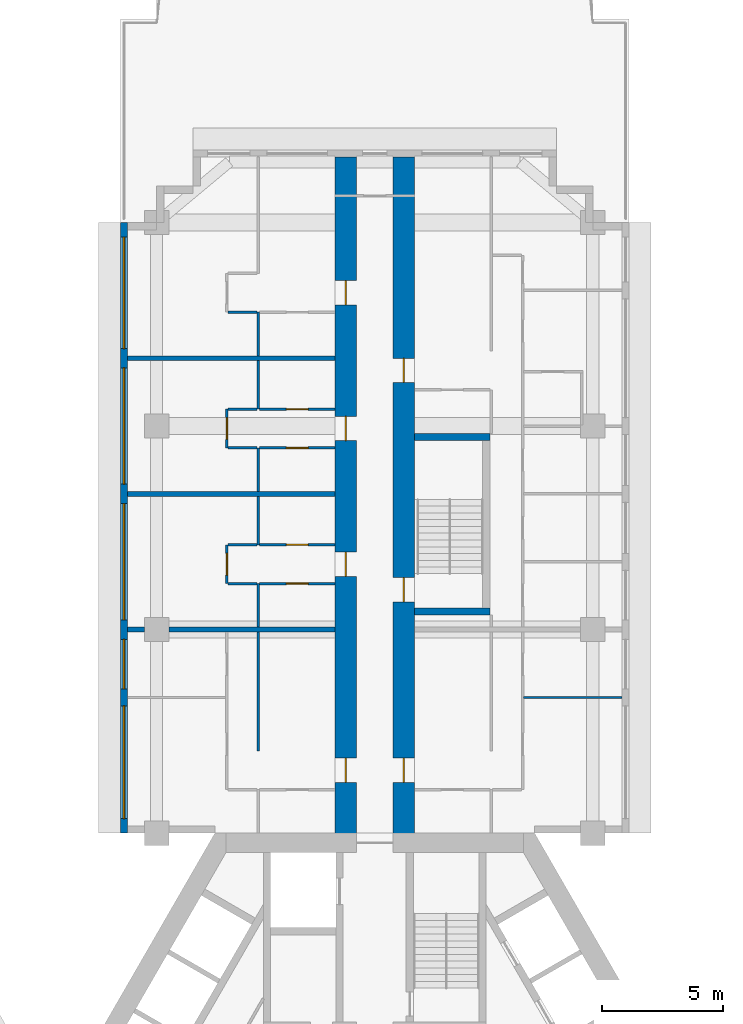
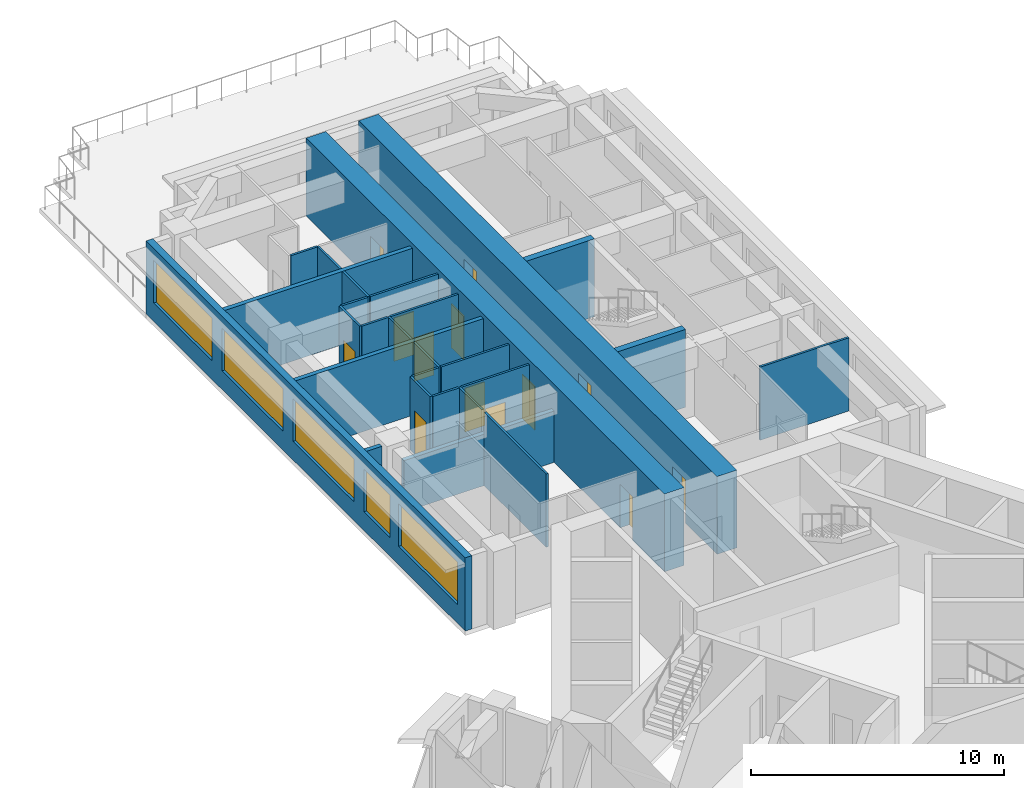
# One storey, part 9 of 16: 27 walls, 13 doors, 5 windows, 18 openings.
"""IFC4 building model written with IfcOpenShell, lengths in metres."""

from ifc_helpers import new_model, si_unit, direction, frame, frame_2d, origin, place, context, subcontext, project, spatial, rectangle, extrude, material, layer, layer_set, type_object, element, fill, save


model = new_model("IFC4")

# Units and contexts
model_context = context("Model", 3, precision=1e-05, world=origin(), true_north=direction((0.0, 1.0)))
body_context = subcontext(model_context, "Body", "Model", "MODEL_VIEW")
ifc_project = project(units=[si_unit("LENGTHUNIT", "METRE"), si_unit("AREAUNIT", "SQUARE_METRE"), si_unit("VOLUMEUNIT", "CUBIC_METRE"), si_unit("PLANEANGLEUNIT", "RADIAN"), si_unit("MASSUNIT", "GRAM", prefix="KILO")], contexts=[model_context])

# Site, building, storey
site_placement = place(None, origin())
site = spatial("IfcSite", under=ifc_project, at=site_placement, CompositionType="ELEMENT")
building_placement = place(site_placement, origin())
building = spatial("IfcBuilding", under=site, at=building_placement, Name="Impinga Residences", CompositionType="ELEMENT")
storey_placement = place(building_placement, frame((0.0, 0.0, 106.0)))
storey = spatial("IfcBuildingStorey", under=building, at=storey_placement, Name="L25", CompositionType="ELEMENT", Elevation=106.0)

# Wall, openings, doors
ifc_material_1 = material(Name="Concrete C60/75", Category="concrete")
ifc_layer_1 = layer(ifc_material_1, 0.89990234375)
ifc_layer_set_1 = layer_set([ifc_layer_1], Name="Concrete C60/75")
wall_type_1 = type_object("IfcWallType", Name="BW2 corridor buttress wall, L24 to L44 900", PredefinedType="SHEAR", material=ifc_layer_set_1)
wall_1_placement = place(storey_placement, frame((-1.199951171875, 11.031494140625, 0.0), z_axis=(0.0, 0.0, 1.0), x_axis=(0.0, 1.0, 0.0)))
wall_1 = element("IfcWall", 1, at=wall_1_placement, inside=storey, type_object=wall_type_1, Name="Corridor wall BW2 NC L25", PredefinedType="SHEAR", context=body_context, shape_type="SweptSolid", body=[
    extrude(rectangle(XDim=28.300048828125, YDim=0.89990234375, at=frame_2d((14.14990234375, 0.0))), origin(), (0.0, 0.0, 1.0), 3.75),
])
opening_1_placement = place(wall_1_placement, frame((2.5, 0.0, 0.0)))
opening_1 = element("IfcOpeningElement", 2, at=opening_1_placement, cuts=wall_1, Name="Opening D1", PredefinedType="OPENING", context=body_context, shape_type="SweptSolid", body=[
    extrude(rectangle(XDim=1.0, YDim=2.10009765625, at=frame_2d((0.5, 1.050048828125))), frame((0.0, 0.4599609375, 0.0), z_axis=(0.0, -1.0, 0.0), x_axis=(1.0, 0.0, 0.0)), (0.0, 0.0, 1.0), 0.919921875),
])
opening_2_placement = place(wall_1_placement, frame((11.0, 0.0, 0.0)))
opening_2 = element("IfcOpeningElement", 3, at=opening_2_placement, cuts=wall_1, Name="Opening D1", PredefinedType="OPENING", context=body_context, shape_type="SweptSolid", body=[
    extrude(rectangle(XDim=1.0, YDim=2.10009765625, at=frame_2d((0.5, 1.050048828125))), frame((0.0, 0.4599609375, 0.0), z_axis=(0.0, -1.0, 0.0), x_axis=(1.0, 0.0, 0.0)), (0.0, 0.0, 1.0), 0.919921875),
])
opening_3_placement = place(wall_1_placement, frame((16.60009765625, 0.0, 0.0)))
opening_3 = element("IfcOpeningElement", 4, at=opening_3_placement, cuts=wall_1, Name="Opening D1", PredefinedType="OPENING", context=body_context, shape_type="SweptSolid", body=[
    extrude(rectangle(XDim=1.0, YDim=2.10009765625, at=frame_2d((0.5, 1.050048828125))), frame((0.0, 0.4599609375, 0.0), z_axis=(0.0, -1.0, 0.0), x_axis=(1.0, 0.0, 0.0)), (0.0, 0.0, 1.0), 0.919921875),
])
opening_4_placement = place(wall_1_placement, frame((22.199951171875, 0.0, 0.0)))
opening_4 = element("IfcOpeningElement", 5, at=opening_4_placement, cuts=wall_1, Name="Opening D1", PredefinedType="OPENING", context=body_context, shape_type="SweptSolid", body=[
    extrude(rectangle(XDim=1.0, YDim=2.10009765625, at=frame_2d((0.5, 1.050048828125))), frame((0.0, 0.4599609375, 0.0), z_axis=(0.0, -1.0, 0.0), x_axis=(1.0, 0.0, 0.0)), (0.0, 0.0, 1.0), 0.919921875),
])
ifc_material_2 = material(Name="Timber door set", Category="wood")
door_type_1 = type_object("IfcDoorType", Name="D1 apartment entrance door 1000x2100", OperationType="SINGLE_SWING_LEFT", PredefinedType="DOOR", material=ifc_material_2)
door_1_placement = place(opening_1_placement, origin())
door_1 = element("IfcDoor", 6, at=door_1_placement, inside=storey, type_object=door_type_1, Name="Apartment L25-NA1 entrance", OperationType="SINGLE_SWING_LEFT", OverallHeight=2.10009765625, OverallWidth=1.0, PredefinedType="DOOR", context=body_context, shape_type="SweptSolid", body=[
    extrude(rectangle(XDim=1.0, YDim=2.10009765625, at=frame_2d((0.5, 1.050048828125))), frame((0.0, 0.02490234375, 0.0), z_axis=(0.0, -1.0, 0.0), x_axis=(1.0, 0.0, 0.0)), (0.0, 0.0, 1.0), 0.050048828125),
])
fill(opening_1, door_1)
door_2_placement = place(opening_2_placement, origin())
door_2 = element("IfcDoor", 7, at=door_2_placement, inside=storey, type_object=door_type_1, Name="Apartment L25-NA2 entrance", OperationType="SINGLE_SWING_LEFT", OverallHeight=2.10009765625, OverallWidth=1.0, PredefinedType="DOOR", context=body_context, shape_type="SweptSolid", body=[
    extrude(rectangle(XDim=1.0, YDim=2.10009765625, at=frame_2d((0.5, 1.050048828125))), frame((0.0, 0.02490234375, 0.0), z_axis=(0.0, -1.0, 0.0), x_axis=(1.0, 0.0, 0.0)), (0.0, 0.0, 1.0), 0.050048828125),
])
fill(opening_2, door_2)
door_3_placement = place(opening_3_placement, origin())
door_3 = element("IfcDoor", 8, at=door_3_placement, inside=storey, type_object=door_type_1, Name="Apartment L25-NA3 entrance", OperationType="SINGLE_SWING_RIGHT", OverallHeight=2.10009765625, OverallWidth=1.0, PredefinedType="DOOR", context=body_context, shape_type="SweptSolid", body=[
    extrude(rectangle(XDim=1.0, YDim=2.10009765625, at=frame_2d((0.5, 1.050048828125))), frame((0.0, 0.02490234375, 0.0), z_axis=(0.0, -1.0, 0.0), x_axis=(1.0, 0.0, 0.0)), (0.0, 0.0, 1.0), 0.050048828125),
])
fill(opening_3, door_3)
door_4_placement = place(opening_4_placement, origin())
door_4 = element("IfcDoor", 9, at=door_4_placement, inside=storey, type_object=door_type_1, Name="Apartment L25-NA4 entrance", OperationType="SINGLE_SWING_RIGHT", OverallHeight=2.10009765625, OverallWidth=1.0, PredefinedType="DOOR", context=body_context, shape_type="SweptSolid", body=[
    extrude(rectangle(XDim=1.0, YDim=2.10009765625, at=frame_2d((0.5, 1.050048828125))), frame((0.0, 0.02490234375, 0.0), z_axis=(0.0, -1.0, 0.0), x_axis=(1.0, 0.0, 0.0)), (0.0, 0.0, 1.0), 0.050048828125),
])
fill(opening_4, door_4)

wall_2_placement = place(storey_placement, frame((1.199951171875, 11.031494140625, 0.0), z_axis=(0.0, 0.0, 1.0), x_axis=(0.0, 1.0, 0.0)))
wall_2 = element("IfcWall", 10, at=wall_2_placement, inside=storey, type_object=wall_type_1, Name="Corridor wall BW2 ND L25", PredefinedType="SHEAR", context=body_context, shape_type="SweptSolid", body=[
    extrude(rectangle(XDim=28.300048828125, YDim=0.89990234375, at=frame_2d((14.14990234375, 0.0))), origin(), (0.0, 0.0, 1.0), 3.75),
])
opening_5_placement = place(wall_2_placement, frame((9.949951171875, 0.0, 0.0)))
opening_5 = element("IfcOpeningElement", 11, at=opening_5_placement, cuts=wall_2, Name="Opening D5", PredefinedType="OPENING", context=body_context, shape_type="SweptSolid", body=[
    extrude(rectangle(XDim=1.0, YDim=2.10009765625, at=frame_2d((0.5, 1.050048828125))), frame((0.0, 0.4599609375, 0.0), z_axis=(0.0, -1.0, 0.0), x_axis=(1.0, 0.0, 0.0)), (0.0, 0.0, 1.0), 0.919921875),
])
opening_6_placement = place(wall_2_placement, frame((2.5, 0.0, 0.0)))
opening_6 = element("IfcOpeningElement", 12, at=opening_6_placement, cuts=wall_2, Name="Opening D1", PredefinedType="OPENING", context=body_context, shape_type="SweptSolid", body=[
    extrude(rectangle(XDim=1.0, YDim=2.10009765625, at=frame_2d((0.5, 1.050048828125))), frame((0.0, 0.4599609375, 0.0), z_axis=(0.0, -1.0, 0.0), x_axis=(1.0, 0.0, 0.0)), (0.0, 0.0, 1.0), 0.919921875),
])
opening_7_placement = place(wall_2_placement, frame((19.0, 0.0, 0.0)))
opening_7 = element("IfcOpeningElement", 13, at=opening_7_placement, cuts=wall_2, Name="Opening D1", PredefinedType="OPENING", context=body_context, shape_type="SweptSolid", body=[
    extrude(rectangle(XDim=1.0, YDim=2.10009765625, at=frame_2d((0.5, 1.050048828125))), frame((0.0, 0.4599609375, 0.0), z_axis=(0.0, -1.0, 0.0), x_axis=(1.0, 0.0, 0.0)), (0.0, 0.0, 1.0), 0.919921875),
])
door_5_placement = place(opening_6_placement, origin())
door_5 = element("IfcDoor", 14, at=door_5_placement, inside=storey, type_object=door_type_1, Name="Apartment L25-NF1 entrance", OperationType="SINGLE_SWING_LEFT", OverallHeight=2.10009765625, OverallWidth=1.0, PredefinedType="DOOR", context=body_context, shape_type="SweptSolid", body=[
    extrude(rectangle(XDim=1.0, YDim=2.10009765625, at=frame_2d((0.5, 1.050048828125))), frame((0.0, 0.02490234375, 0.0), z_axis=(0.0, -1.0, 0.0), x_axis=(1.0, 0.0, 0.0)), (0.0, 0.0, 1.0), 0.050048828125),
])
fill(opening_6, door_5)
door_6_placement = place(opening_7_placement, origin())
door_6 = element("IfcDoor", 15, at=door_6_placement, inside=storey, type_object=door_type_1, Name="Apartment L25-NF2 entrance", OperationType="SINGLE_SWING_RIGHT", OverallHeight=2.10009765625, OverallWidth=1.0, PredefinedType="DOOR", context=body_context, shape_type="SweptSolid", body=[
    extrude(rectangle(XDim=1.0, YDim=2.10009765625, at=frame_2d((0.5, 1.050048828125))), frame((0.0, 0.02490234375, 0.0), z_axis=(0.0, -1.0, 0.0), x_axis=(1.0, 0.0, 0.0)), (0.0, 0.0, 1.0), 0.050048828125),
])
fill(opening_7, door_6)
door_type_2 = type_object("IfcDoorType", Name="D5 stair door 1000x2100", OperationType="SINGLE_SWING_LEFT", PredefinedType="DOOR", material=ifc_material_2)
door_7_placement = place(opening_5_placement, origin())
door_7 = element("IfcDoor", 16, at=door_7_placement, inside=storey, type_object=door_type_2, Name="Wing stair door N", OperationType="SINGLE_SWING_LEFT", OverallHeight=2.10009765625, OverallWidth=1.0, PredefinedType="DOOR", context=body_context, shape_type="SweptSolid", body=[
    extrude(rectangle(XDim=1.0, YDim=2.10009765625, at=frame_2d((0.5, 1.050048828125))), frame((0.0, 0.02490234375, 0.0), z_axis=(0.0, -1.0, 0.0), x_axis=(1.0, 0.0, 0.0)), (0.0, 0.0, 1.0), 0.050048828125),
])
fill(opening_5, door_7)

# Wall, openings, windows
ifc_material_3 = material(Name="Terracotta rainscreen on blockwork", Category="masonry")
ifc_layer_2 = layer(ifc_material_3, 0.300048828125)
ifc_layer_set_2 = layer_set([ifc_layer_2], Name="EW1 external wall, terracotta rainscreen on blockwork 300")
wall_type_2 = type_object("IfcWallType", Name="EW1 external wall, terracotta rainscreen on blockwork 300", PredefinedType="SOLIDWALL", material=ifc_layer_set_2)
wall_3_placement = place(storey_placement, frame((-10.35009765625, 11.431640625, 0.0), z_axis=(0.0, 0.0, 1.0), x_axis=(0.0, 1.0, 0.0)))
wall_3 = element("IfcWall", 17, at=wall_3_placement, inside=storey, type_object=wall_type_2, Name="External wall EW1 L25", PredefinedType="SOLIDWALL", context=body_context, shape_type="SweptSolid", body=[
    extrude(rectangle(XDim=25.199951171875, YDim=0.300048828125, at=frame_2d((12.60009765625, 0.0))), origin(), (0.0, 0.0, 1.0), 3.530029296875),
])
opening_8_placement = place(wall_3_placement, frame((0.60009765625, 0.0, 0.89990234375)))
opening_8 = element("IfcOpeningElement", 18, at=opening_8_placement, cuts=wall_3, Name="Opening W10", PredefinedType="OPENING", context=body_context, shape_type="SweptSolid", body=[
    extrude(rectangle(XDim=4.64990234375, YDim=2.050048828125, at=frame_2d((2.324951171875, 1.02490234375))), frame((0.0, 0.159912109375, 0.0), z_axis=(0.0, -1.0, 0.0), x_axis=(1.0, 0.0, 0.0)), (0.0, 0.0, 1.0), 0.320068359375),
])
opening_9_placement = place(wall_3_placement, frame((5.949951171875, 0.0, 0.89990234375)))
opening_9 = element("IfcOpeningElement", 19, at=opening_9_placement, cuts=wall_3, Name="Opening W14", PredefinedType="OPENING", context=body_context, shape_type="SweptSolid", body=[
    extrude(rectangle(XDim=2.050048828125, YDim=2.050048828125, at=frame_2d((1.02490234375, 1.02490234375))), frame((0.0, 0.159912109375, 0.0), z_axis=(0.0, -1.0, 0.0), x_axis=(1.0, 0.0, 0.0)), (0.0, 0.0, 1.0), 0.320068359375),
])
opening_10_placement = place(wall_3_placement, frame((8.800048828125, 0.0, 0.89990234375)))
opening_10 = element("IfcOpeningElement", 20, at=opening_10_placement, cuts=wall_3, Name="Opening W8", PredefinedType="OPENING", context=body_context, shape_type="SweptSolid", body=[
    extrude(rectangle(XDim=4.800048828125, YDim=2.050048828125, at=frame_2d((2.39990234375, 1.02490234375))), frame((0.0, 0.159912109375, 0.0), z_axis=(0.0, -1.0, 0.0), x_axis=(1.0, 0.0, 0.0)), (0.0, 0.0, 1.0), 0.320068359375),
])
opening_11_placement = place(wall_3_placement, frame((14.39990234375, 0.0, 0.89990234375)))
opening_11 = element("IfcOpeningElement", 21, at=opening_11_placement, cuts=wall_3, Name="Opening W8", PredefinedType="OPENING", context=body_context, shape_type="SweptSolid", body=[
    extrude(rectangle(XDim=4.800048828125, YDim=2.050048828125, at=frame_2d((2.39990234375, 1.02490234375))), frame((0.0, 0.159912109375, 0.0), z_axis=(0.0, -1.0, 0.0), x_axis=(1.0, 0.0, 0.0)), (0.0, 0.0, 1.0), 0.320068359375),
])
opening_12_placement = place(wall_3_placement, frame((20.0, 0.0, 0.89990234375)))
opening_12 = element("IfcOpeningElement", 22, at=opening_12_placement, cuts=wall_3, Name="Opening W3", PredefinedType="OPENING", context=body_context, shape_type="SweptSolid", body=[
    extrude(rectangle(XDim=4.60009765625, YDim=2.050048828125, at=frame_2d((2.300048828125, 1.02490234375))), frame((0.0, 0.159912109375, 0.0), z_axis=(0.0, -1.0, 0.0), x_axis=(1.0, 0.0, 0.0)), (0.0, 0.0, 1.0), 0.320068359375),
])
ifc_material_4 = material(Name="Aluminium window, clear double glazing", Category="aluminium")
window_type_1 = type_object("IfcWindowType", Name="W10 ribbon window 4650x2050", PartitioningType="SINGLE_PANEL", PredefinedType="WINDOW", material=ifc_material_4)
window_1_placement = place(opening_8_placement, origin())
window_1 = element("IfcWindow", 23, at=window_1_placement, inside=storey, type_object=window_type_1, Name="Window L25", OverallHeight=2.050048828125, OverallWidth=4.64990234375, PartitioningType="SINGLE_PANEL", PredefinedType="WINDOW", context=body_context, shape_type="SweptSolid", body=[
    extrude(rectangle(XDim=4.64990234375, YDim=2.050048828125, at=frame_2d((2.324951171875, 1.02490234375))), frame((0.0, 0.030029296875, 0.0), z_axis=(0.0, -1.0, 0.0), x_axis=(1.0, 0.0, 0.0)), (0.0, 0.0, 1.0), 0.06005859375),
])
fill(opening_8, window_1)
window_type_2 = type_object("IfcWindowType", Name="W14 ribbon window 2050x2050", PartitioningType="SINGLE_PANEL", PredefinedType="WINDOW", material=ifc_material_4)
window_2_placement = place(opening_9_placement, origin())
window_2 = element("IfcWindow", 24, at=window_2_placement, inside=storey, type_object=window_type_2, Name="Window L25", OverallHeight=2.050048828125, OverallWidth=2.050048828125, PartitioningType="SINGLE_PANEL", PredefinedType="WINDOW", context=body_context, shape_type="SweptSolid", body=[
    extrude(rectangle(XDim=2.050048828125, YDim=2.050048828125, at=frame_2d((1.02490234375, 1.02490234375))), frame((0.0, 0.030029296875, 0.0), z_axis=(0.0, -1.0, 0.0), x_axis=(1.0, 0.0, 0.0)), (0.0, 0.0, 1.0), 0.06005859375),
])
fill(opening_9, window_2)
window_type_3 = type_object("IfcWindowType", Name="W3 ribbon window 4600x2050", PartitioningType="SINGLE_PANEL", PredefinedType="WINDOW", material=ifc_material_4)
window_3_placement = place(opening_12_placement, origin())
window_3 = element("IfcWindow", 25, at=window_3_placement, inside=storey, type_object=window_type_3, Name="Window L25", OverallHeight=2.050048828125, OverallWidth=4.60009765625, PartitioningType="SINGLE_PANEL", PredefinedType="WINDOW", context=body_context, shape_type="SweptSolid", body=[
    extrude(rectangle(XDim=4.60009765625, YDim=2.050048828125, at=frame_2d((2.300048828125, 1.02490234375))), frame((0.0, 0.030029296875, 0.0), z_axis=(0.0, -1.0, 0.0), x_axis=(1.0, 0.0, 0.0)), (0.0, 0.0, 1.0), 0.06005859375),
])
fill(opening_12, window_3)
window_type_4 = type_object("IfcWindowType", Name="W8 ribbon window 4800x2050", PartitioningType="SINGLE_PANEL", PredefinedType="WINDOW", material=ifc_material_4)
window_4_placement = place(opening_10_placement, origin())
window_4 = element("IfcWindow", 26, at=window_4_placement, inside=storey, type_object=window_type_4, Name="Window L25", OverallHeight=2.050048828125, OverallWidth=4.800048828125, PartitioningType="SINGLE_PANEL", PredefinedType="WINDOW", context=body_context, shape_type="SweptSolid", body=[
    extrude(rectangle(XDim=4.800048828125, YDim=2.050048828125, at=frame_2d((2.39990234375, 1.02490234375))), frame((0.0, 0.030029296875, 0.0), z_axis=(0.0, -1.0, 0.0), x_axis=(1.0, 0.0, 0.0)), (0.0, 0.0, 1.0), 0.06005859375),
])
fill(opening_10, window_4)
window_5_placement = place(opening_11_placement, origin())
window_5 = element("IfcWindow", 27, at=window_5_placement, inside=storey, type_object=window_type_4, Name="Window L25", OverallHeight=2.050048828125, OverallWidth=4.800048828125, PartitioningType="SINGLE_PANEL", PredefinedType="WINDOW", context=body_context, shape_type="SweptSolid", body=[
    extrude(rectangle(XDim=4.800048828125, YDim=2.050048828125, at=frame_2d((2.39990234375, 1.02490234375))), frame((0.0, 0.030029296875, 0.0), z_axis=(0.0, -1.0, 0.0), x_axis=(1.0, 0.0, 0.0)), (0.0, 0.0, 1.0), 0.06005859375),
])
fill(opening_11, window_5)

# Walls
ifc_material_5 = material(Name="Gypsum board on steel studs", Category="steel")
ifc_layer_3 = layer(ifc_material_5, 0.10009765625)
ifc_layer_set_3 = layer_set([ifc_layer_3], Name="Gypsum board on steel studs")
wall_type_3 = type_object("IfcWallType", Name="IP1 partition 100", PredefinedType="PARTITIONING", material=ifc_layer_set_3)
wall_4_placement = place(storey_placement, frame((-4.800048828125, 14.83154296875, 0.0), z_axis=(0.0, 0.0, 1.0), x_axis=(0.0, 1.0, 0.0)))
element("IfcWall", 28, at=wall_4_placement, inside=storey, type_object=wall_type_3, Name="Partition L25-NA1:DIV1", PredefinedType="PARTITIONING", context=body_context, shape_type="SweptSolid", body=[
    extrude(rectangle(XDim=4.89990234375, YDim=0.10009765625, at=frame_2d((2.449951171875, 0.0))), origin(), (0.0, 0.0, 1.0), 3.530029296875),
])
wall_5_placement = place(storey_placement, frame((-4.800048828125, 19.931640625, 0.0), z_axis=(0.0, 0.0, 1.0), x_axis=(0.0, 1.0, 0.0)))
element("IfcWall", 29, at=wall_5_placement, inside=storey, type_object=wall_type_3, Name="Partition L25-NA2:DIV0", PredefinedType="PARTITIONING", context=body_context, shape_type="SweptSolid", body=[
    extrude(rectangle(XDim=1.7998046875, YDim=0.10009765625, at=frame_2d((0.89990234375, 0.0))), origin(), (0.0, 0.0, 1.0), 3.530029296875),
])
wall_6_placement = place(storey_placement, frame((-4.800048828125, 23.33154296875, 0.0), z_axis=(0.0, 0.0, 1.0), x_axis=(0.0, 1.0, 0.0)))
element("IfcWall", 30, at=wall_6_placement, inside=storey, type_object=wall_type_3, Name="Partition L25-NA2:DIV1", PredefinedType="PARTITIONING", context=body_context, shape_type="SweptSolid", body=[
    extrude(rectangle(XDim=2.0, YDim=0.10009765625, at=frame_2d((1.0, 0.0))), origin(), (0.0, 0.0, 1.0), 3.530029296875),
])

# Wall, opening, door
wall_7_placement = place(storey_placement, frame((-6.10009765625, 21.7314453125, 0.0), z_axis=(0.0, 0.0, 1.0), x_axis=(0.0, 1.0, 0.0)))
wall_7 = element("IfcWall", 31, at=wall_7_placement, inside=storey, type_object=wall_type_3, Name="Partition L25-NA2:STRIP", PredefinedType="PARTITIONING", context=body_context, shape_type="SweptSolid", body=[
    extrude(rectangle(XDim=1.60009765625, YDim=0.10009765625, at=frame_2d((0.800048828125, 0.0))), origin(), (0.0, 0.0, 1.0), 3.530029296875),
])
opening_13_placement = place(wall_7_placement, frame((0.35009765625, 0.0, 0.0)))
opening_13 = element("IfcOpeningElement", 32, at=opening_13_placement, cuts=wall_7, Name="Opening D2", PredefinedType="OPENING", context=body_context, shape_type="SweptSolid", body=[
    extrude(rectangle(XDim=0.89990234375, YDim=2.10009765625, at=frame_2d((0.449951171875, 1.050048828125))), frame((0.0, 0.06005859375, 0.0), z_axis=(0.0, -1.0, 0.0), x_axis=(1.0, 0.0, 0.0)), (0.0, 0.0, 1.0), 0.1201171875),
])
door_type_3 = type_object("IfcDoorType", Name="D2 internal door 900x2100", OperationType="SINGLE_SWING_LEFT", PredefinedType="DOOR", material=ifc_material_2)
door_8_placement = place(opening_13_placement, origin())
door_8 = element("IfcDoor", 33, at=door_8_placement, inside=storey, type_object=door_type_3, Name="Apartment L25-NA2 room door", OperationType="SINGLE_SWING_LEFT", OverallHeight=2.10009765625, OverallWidth=0.89990234375, PredefinedType="DOOR", context=body_context, shape_type="SweptSolid", body=[
    extrude(rectangle(XDim=0.89990234375, YDim=2.10009765625, at=frame_2d((0.449951171875, 1.050048828125))), frame((0.0, 0.02490234375, 0.0), z_axis=(0.0, -1.0, 0.0), x_axis=(1.0, 0.0, 0.0)), (0.0, 0.0, 1.0), 0.050048828125),
])
fill(opening_13, door_8)

# Walls
for number, where, z_axis, x_axis, name in (
    (34, (-4.85009765625, 21.7314453125, 0.0), (0.0, 0.0, 1.0), (-1.0, 0.0, 0.0), "Partition L25-NA2:SE0"),
    (35, (-4.85009765625, 23.33154296875, 0.0), (0.0, 0.0, 1.0), (-1.0, 0.0, 0.0), "Partition L25-NA2:SE1"),
):
    element("IfcWall", number, at=place(storey_placement, frame(where, z_axis=z_axis, x_axis=x_axis)), inside=storey, type_object=wall_type_3, Name=name, PredefinedType="PARTITIONING", context=body_context, shape_type="SweptSolid", body=[
        extrude(rectangle(XDim=1.199951171875, YDim=0.10009765625, at=frame_2d((0.60009765625, 0.0))), origin(), (0.0, 0.0, 1.0), 3.530029296875),
    ])

# Wall, opening, door
wall_8_placement = place(storey_placement, frame((-1.64990234375, 21.7314453125, 0.0), z_axis=(0.0, 0.0, 1.0), x_axis=(-1.0, 0.0, 0.0)))
wall_8 = element("IfcWall", 36, at=wall_8_placement, inside=storey, type_object=wall_type_3, Name="Partition L25-NA2:IB1", PredefinedType="PARTITIONING", context=body_context, shape_type="SweptSolid", body=[
    extrude(rectangle(XDim=3.10009765625, YDim=0.10009765625, at=frame_2d((1.550048828125, 0.0))), origin(), (0.0, 0.0, 1.0), 3.530029296875),
])
opening_14_placement = place(wall_8_placement, frame((1.10009765625, 0.0, 0.0)))
opening_14 = element("IfcOpeningElement", 37, at=opening_14_placement, cuts=wall_8, Name="Opening D2", PredefinedType="OPENING", context=body_context, shape_type="SweptSolid", body=[
    extrude(rectangle(XDim=0.89990234375, YDim=2.10009765625, at=frame_2d((0.449951171875, 1.050048828125))), frame((0.0, 0.06005859375, 0.0), z_axis=(0.0, -1.0, 0.0), x_axis=(1.0, 0.0, 0.0)), (0.0, 0.0, 1.0), 0.1201171875),
])
door_9_placement = place(opening_14_placement, origin())
door_9 = element("IfcDoor", 38, at=door_9_placement, inside=storey, type_object=door_type_3, Name="Apartment L25-NA2 bathroom door", OperationType="SINGLE_SWING_LEFT", OverallHeight=2.10009765625, OverallWidth=0.89990234375, PredefinedType="DOOR", context=body_context, shape_type="SweptSolid", body=[
    extrude(rectangle(XDim=0.89990234375, YDim=2.10009765625, at=frame_2d((0.449951171875, 1.050048828125))), frame((0.0, 0.02490234375, 0.0), z_axis=(0.0, -1.0, 0.0), x_axis=(1.0, 0.0, 0.0)), (0.0, 0.0, 1.0), 0.050048828125),
])
fill(opening_14, door_9)

wall_9_placement = place(storey_placement, frame((-1.64990234375, 23.33154296875, 0.0), z_axis=(0.0, 0.0, 1.0), x_axis=(-1.0, 0.0, 0.0)))
wall_9 = element("IfcWall", 39, at=wall_9_placement, inside=storey, type_object=wall_type_3, Name="Partition L25-NA2:IB2", PredefinedType="PARTITIONING", context=body_context, shape_type="SweptSolid", body=[
    extrude(rectangle(XDim=3.10009765625, YDim=0.10009765625, at=frame_2d((1.550048828125, 0.0))), origin(), (0.0, 0.0, 1.0), 3.530029296875),
])
opening_15_placement = place(wall_9_placement, frame((1.10009765625, 0.0, 0.0)))
opening_15 = element("IfcOpeningElement", 40, at=opening_15_placement, cuts=wall_9, Name="Opening D2", PredefinedType="OPENING", context=body_context, shape_type="SweptSolid", body=[
    extrude(rectangle(XDim=0.89990234375, YDim=2.10009765625, at=frame_2d((0.449951171875, 1.050048828125))), frame((0.0, 0.06005859375, 0.0), z_axis=(0.0, -1.0, 0.0), x_axis=(1.0, 0.0, 0.0)), (0.0, 0.0, 1.0), 0.1201171875),
])
door_10_placement = place(opening_15_placement, origin())
door_10 = element("IfcDoor", 41, at=door_10_placement, inside=storey, type_object=door_type_3, Name="Apartment L25-NA2 WC door", OperationType="SINGLE_SWING_LEFT", OverallHeight=2.10009765625, OverallWidth=0.89990234375, PredefinedType="DOOR", context=body_context, shape_type="SweptSolid", body=[
    extrude(rectangle(XDim=0.89990234375, YDim=2.10009765625, at=frame_2d((0.449951171875, 1.050048828125))), frame((0.0, 0.02490234375, 0.0), z_axis=(0.0, -1.0, 0.0), x_axis=(1.0, 0.0, 0.0)), (0.0, 0.0, 1.0), 0.050048828125),
])
fill(opening_15, door_10)

# Walls
wall_10_placement = place(storey_placement, frame((-4.800048828125, 25.531494140625, 0.0), z_axis=(0.0, 0.0, 1.0), x_axis=(0.0, 1.0, 0.0)))
element("IfcWall", 42, at=wall_10_placement, inside=storey, type_object=wall_type_3, Name="Partition L25-NA3:DIV0", PredefinedType="PARTITIONING", context=body_context, shape_type="SweptSolid", body=[
    extrude(rectangle(XDim=1.800048828125, YDim=0.10009765625, at=frame_2d((0.89990234375, 0.0))), origin(), (0.0, 0.0, 1.0), 3.530029296875),
])
wall_11_placement = place(storey_placement, frame((-4.800048828125, 28.931640625, 0.0), z_axis=(0.0, 0.0, 1.0), x_axis=(0.0, 1.0, 0.0)))
element("IfcWall", 43, at=wall_11_placement, inside=storey, type_object=wall_type_3, Name="Partition L25-NA3:DIV1", PredefinedType="PARTITIONING", context=body_context, shape_type="SweptSolid", body=[
    extrude(rectangle(XDim=2.0, YDim=0.10009765625, at=frame_2d((1.0, 0.0))), origin(), (0.0, 0.0, 1.0), 3.530029296875),
])

# Wall, opening, door
wall_12_placement = place(storey_placement, frame((-6.10009765625, 27.33154296875, 0.0), z_axis=(0.0, 0.0, 1.0), x_axis=(0.0, 1.0, 0.0)))
wall_12 = element("IfcWall", 44, at=wall_12_placement, inside=storey, type_object=wall_type_3, Name="Partition L25-NA3:STRIP", PredefinedType="PARTITIONING", context=body_context, shape_type="SweptSolid", body=[
    extrude(rectangle(XDim=1.60009765625, YDim=0.10009765625, at=frame_2d((0.800048828125, 0.0))), origin(), (0.0, 0.0, 1.0), 3.530029296875),
])
opening_16_placement = place(wall_12_placement, frame((0.35009765625, 0.0, 0.0)))
opening_16 = element("IfcOpeningElement", 45, at=opening_16_placement, cuts=wall_12, Name="Opening D2", PredefinedType="OPENING", context=body_context, shape_type="SweptSolid", body=[
    extrude(rectangle(XDim=0.89990234375, YDim=2.10009765625, at=frame_2d((0.449951171875, 1.050048828125))), frame((0.0, 0.06005859375, 0.0), z_axis=(0.0, -1.0, 0.0), x_axis=(1.0, 0.0, 0.0)), (0.0, 0.0, 1.0), 0.1201171875),
])
door_11_placement = place(opening_16_placement, origin())
door_11 = element("IfcDoor", 46, at=door_11_placement, inside=storey, type_object=door_type_3, Name="Apartment L25-NA3 room door", OperationType="SINGLE_SWING_LEFT", OverallHeight=2.10009765625, OverallWidth=0.89990234375, PredefinedType="DOOR", context=body_context, shape_type="SweptSolid", body=[
    extrude(rectangle(XDim=0.89990234375, YDim=2.10009765625, at=frame_2d((0.449951171875, 1.050048828125))), frame((0.0, 0.02490234375, 0.0), z_axis=(0.0, -1.0, 0.0), x_axis=(1.0, 0.0, 0.0)), (0.0, 0.0, 1.0), 0.050048828125),
])
fill(opening_16, door_11)

# Walls
for number, where, z_axis, x_axis, name in (
    (47, (-4.85009765625, 27.33154296875, 0.0), (0.0, 0.0, 1.0), (-1.0, 0.0, 0.0), "Partition L25-NA3:SE0"),
    (48, (-4.85009765625, 28.931640625, 0.0), (0.0, 0.0, 1.0), (-1.0, 0.0, 0.0), "Partition L25-NA3:SE1"),
):
    element("IfcWall", number, at=place(storey_placement, frame(where, z_axis=z_axis, x_axis=x_axis)), inside=storey, type_object=wall_type_3, Name=name, PredefinedType="PARTITIONING", context=body_context, shape_type="SweptSolid", body=[
        extrude(rectangle(XDim=1.199951171875, YDim=0.10009765625, at=frame_2d((0.60009765625, 0.0))), origin(), (0.0, 0.0, 1.0), 3.530029296875),
    ])

# Wall, opening, door
wall_13_placement = place(storey_placement, frame((-1.64990234375, 27.33154296875, 0.0), z_axis=(0.0, 0.0, 1.0), x_axis=(-1.0, 0.0, 0.0)))
wall_13 = element("IfcWall", 49, at=wall_13_placement, inside=storey, type_object=wall_type_3, Name="Partition L25-NA3:IB1", PredefinedType="PARTITIONING", context=body_context, shape_type="SweptSolid", body=[
    extrude(rectangle(XDim=3.10009765625, YDim=0.10009765625, at=frame_2d((1.550048828125, 0.0))), origin(), (0.0, 0.0, 1.0), 3.530029296875),
])
opening_17_placement = place(wall_13_placement, frame((1.10009765625, 0.0, 0.0)))
opening_17 = element("IfcOpeningElement", 50, at=opening_17_placement, cuts=wall_13, Name="Opening D2", PredefinedType="OPENING", context=body_context, shape_type="SweptSolid", body=[
    extrude(rectangle(XDim=0.89990234375, YDim=2.10009765625, at=frame_2d((0.449951171875, 1.050048828125))), frame((0.0, 0.06005859375, 0.0), z_axis=(0.0, -1.0, 0.0), x_axis=(1.0, 0.0, 0.0)), (0.0, 0.0, 1.0), 0.1201171875),
])
door_12_placement = place(opening_17_placement, origin())
door_12 = element("IfcDoor", 51, at=door_12_placement, inside=storey, type_object=door_type_3, Name="Apartment L25-NA3 bathroom door", OperationType="SINGLE_SWING_LEFT", OverallHeight=2.10009765625, OverallWidth=0.89990234375, PredefinedType="DOOR", context=body_context, shape_type="SweptSolid", body=[
    extrude(rectangle(XDim=0.89990234375, YDim=2.10009765625, at=frame_2d((0.449951171875, 1.050048828125))), frame((0.0, 0.02490234375, 0.0), z_axis=(0.0, -1.0, 0.0), x_axis=(1.0, 0.0, 0.0)), (0.0, 0.0, 1.0), 0.050048828125),
])
fill(opening_17, door_12)

wall_14_placement = place(storey_placement, frame((-1.64990234375, 28.931640625, 0.0), z_axis=(0.0, 0.0, 1.0), x_axis=(-1.0, 0.0, 0.0)))
wall_14 = element("IfcWall", 52, at=wall_14_placement, inside=storey, type_object=wall_type_3, Name="Partition L25-NA3:IB2", PredefinedType="PARTITIONING", context=body_context, shape_type="SweptSolid", body=[
    extrude(rectangle(XDim=3.10009765625, YDim=0.10009765625, at=frame_2d((1.550048828125, 0.0))), origin(), (0.0, 0.0, 1.0), 3.530029296875),
])
opening_18_placement = place(wall_14_placement, frame((1.10009765625, 0.0, 0.0)))
opening_18 = element("IfcOpeningElement", 53, at=opening_18_placement, cuts=wall_14, Name="Opening D2", PredefinedType="OPENING", context=body_context, shape_type="SweptSolid", body=[
    extrude(rectangle(XDim=0.89990234375, YDim=2.10009765625, at=frame_2d((0.449951171875, 1.050048828125))), frame((0.0, 0.06005859375, 0.0), z_axis=(0.0, -1.0, 0.0), x_axis=(1.0, 0.0, 0.0)), (0.0, 0.0, 1.0), 0.1201171875),
])
door_13_placement = place(opening_18_placement, origin())
door_13 = element("IfcDoor", 54, at=door_13_placement, inside=storey, type_object=door_type_3, Name="Apartment L25-NA3 WC door", OperationType="SINGLE_SWING_LEFT", OverallHeight=2.10009765625, OverallWidth=0.89990234375, PredefinedType="DOOR", context=body_context, shape_type="SweptSolid", body=[
    extrude(rectangle(XDim=0.89990234375, YDim=2.10009765625, at=frame_2d((0.449951171875, 1.050048828125))), frame((0.0, 0.02490234375, 0.0), z_axis=(0.0, -1.0, 0.0), x_axis=(1.0, 0.0, 0.0)), (0.0, 0.0, 1.0), 0.050048828125),
])
fill(opening_18, door_13)

# Walls
wall_15_placement = place(storey_placement, frame((-4.800048828125, 31.131591796875, 0.0), z_axis=(0.0, 0.0, 1.0), x_axis=(0.0, 1.0, 0.0)))
element("IfcWall", 55, at=wall_15_placement, inside=storey, type_object=wall_type_3, Name="Partition L25-NA4:DIV0", PredefinedType="PARTITIONING", context=body_context, shape_type="SweptSolid", body=[
    extrude(rectangle(XDim=1.800048828125, YDim=0.10009765625, at=frame_2d((0.89990234375, 0.0))), origin(), (0.0, 0.0, 1.0), 3.530029296875),
])
wall_16_placement = place(storey_placement, frame((-4.85009765625, 32.931640625, 0.0), z_axis=(0.0, 0.0, 1.0), x_axis=(-1.0, 0.0, 0.0)))
element("IfcWall", 56, at=wall_16_placement, inside=storey, type_object=wall_type_3, Name="Partition L25-NA4:SE0", PredefinedType="PARTITIONING", context=body_context, shape_type="SweptSolid", body=[
    extrude(rectangle(XDim=1.199951171875, YDim=0.10009765625, at=frame_2d((0.60009765625, 0.0))), origin(), (0.0, 0.0, 1.0), 3.530029296875),
])
wall_17_placement = place(storey_placement, frame((6.14990234375, 17.031494140625, 0.0), z_axis=(0.0, 0.0, 1.0), x_axis=(1.0, 0.0, 0.0)))
element("IfcWall", 57, at=wall_17_placement, inside=storey, type_object=wall_type_3, Name="Partition L25-NF1:OB1", PredefinedType="PARTITIONING", context=body_context, shape_type="SweptSolid", body=[
    extrude(rectangle(XDim=4.050048828125, YDim=0.10009765625, at=frame_2d((2.02490234375, 0.0))), origin(), (0.0, 0.0, 1.0), 3.530029296875),
])
ifc_material_6 = material(Name="Concrete blockwork", Category="masonry")
ifc_layer_4 = layer(ifc_material_6, 0.199951171875)
ifc_layer_set_4 = layer_set([ifc_layer_4], Name="PW1 party wall between apartments 200")
wall_type_4 = type_object("IfcWallType", Name="PW1 party wall between apartments 200", PredefinedType="SOLIDWALL", material=ifc_layer_set_4)
wall_18_placement = place(storey_placement, frame((-1.64990234375, 19.83154296875, 0.0), z_axis=(0.0, 0.0, 1.0), x_axis=(-1.0, 0.0, 0.0)))
element("IfcWall", 58, at=wall_18_placement, inside=storey, type_object=wall_type_4, Name="Party wall between apartments L25-NA1:PARTY", PredefinedType="SOLIDWALL", context=body_context, shape_type="SweptSolid", body=[
    extrude(rectangle(XDim=6.85009765625, YDim=0.199951171875, at=frame_2d((3.425048828125, 0.0))), origin(), (0.0, 0.0, 1.0), 2.47998046875),
])
wall_19_placement = place(storey_placement, frame((-9.5, 19.83154296875, 0.0), z_axis=(0.0, 0.0, 1.0), x_axis=(-1.0, 0.0, 0.0)))
element("IfcWall", 59, at=wall_19_placement, inside=storey, type_object=wall_type_4, Name="Party wall between apartments L25-NA1:PARTYb", PredefinedType="SOLIDWALL", context=body_context, shape_type="SweptSolid", body=[
    extrude(rectangle(XDim=0.699951171875, YDim=0.199951171875, at=frame_2d((0.35009765625, 0.0))), origin(), (0.0, 0.0, 1.0), 3.530029296875),
])
for number, where, z_axis, x_axis, name in (
    (60, (-1.64990234375, 25.431640625, 0.0), (0.0, 0.0, 1.0), (-1.0, 0.0, 0.0), "Party wall between apartments L25-NA2:PARTY"),
    (61, (-1.64990234375, 31.031494140625, 0.0), (0.0, 0.0, 1.0), (-1.0, 0.0, 0.0), "Party wall between apartments L25-NA3:PARTY"),
):
    element("IfcWall", number, at=place(storey_placement, frame(where, z_axis=z_axis, x_axis=x_axis)), inside=storey, type_object=wall_type_4, Name=name, PredefinedType="SOLIDWALL", context=body_context, shape_type="SweptSolid", body=[
        extrude(rectangle(XDim=8.550048828125, YDim=0.199951171875, at=frame_2d((4.27490234375, 0.0))), origin(), (0.0, 0.0, 1.0), 3.530029296875),
    ])
ifc_layer_5 = layer(ifc_material_1, 0.300048828125)
ifc_layer_set_5 = layer_set([ifc_layer_5], Name="Concrete C60/75")
wall_type_5 = type_object("IfcWallType", Name="SE1 wing stair enclosure wall 300", PredefinedType="SOLIDWALL", material=ifc_layer_set_5)
for number, where, z_axis, x_axis, name in (
    (62, (1.64990234375, 20.58154296875, 0.0), (0.0, 0.0, 1.0), (1.0, 0.0, 0.0), "Stair enclosure wall SE1 N END0 L25"),
    (63, (1.64990234375, 27.781494140625, 0.0), (0.0, 0.0, 1.0), (1.0, 0.0, 0.0), "Stair enclosure wall SE1 N END1 L25"),
):
    element("IfcWall", number, at=place(storey_placement, frame(where, z_axis=z_axis, x_axis=x_axis)), inside=storey, type_object=wall_type_5, Name=name, PredefinedType="SOLIDWALL", context=body_context, shape_type="SweptSolid", body=[
        extrude(rectangle(XDim=3.10009765625, YDim=0.300048828125, at=frame_2d((1.550048828125, 0.0))), origin(), (0.0, 0.0, 1.0), 3.75),
    ])

save(model, "model.ifc")
